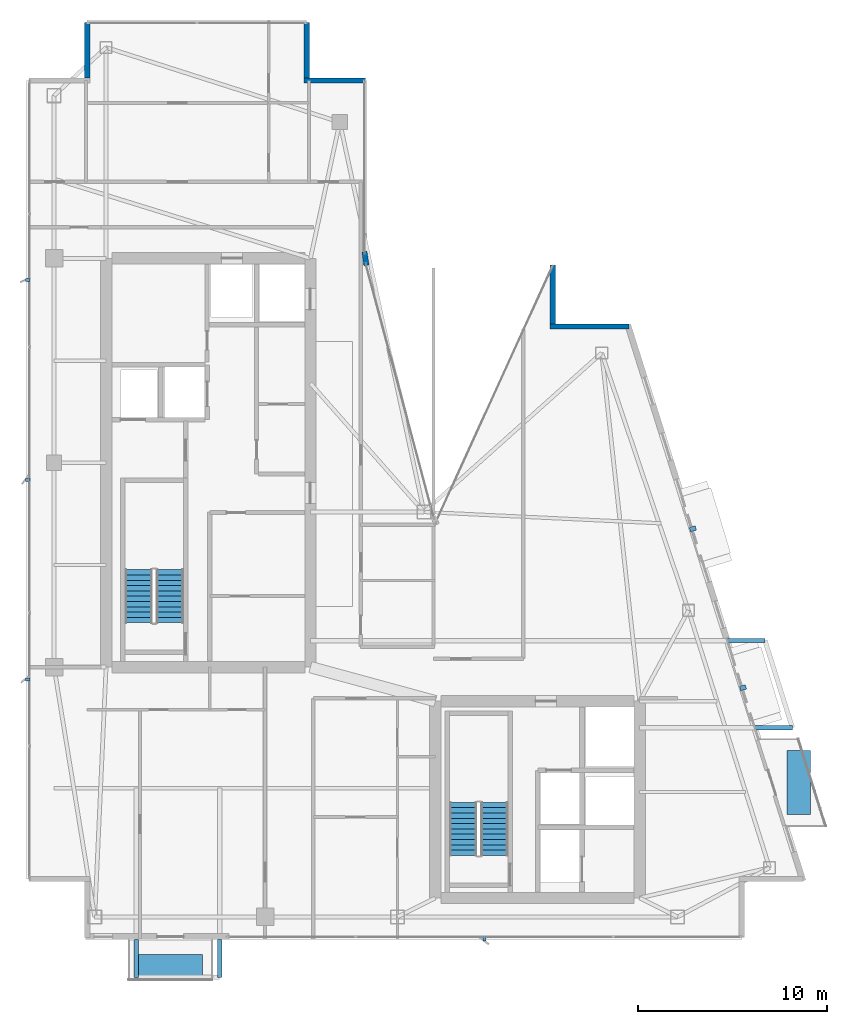
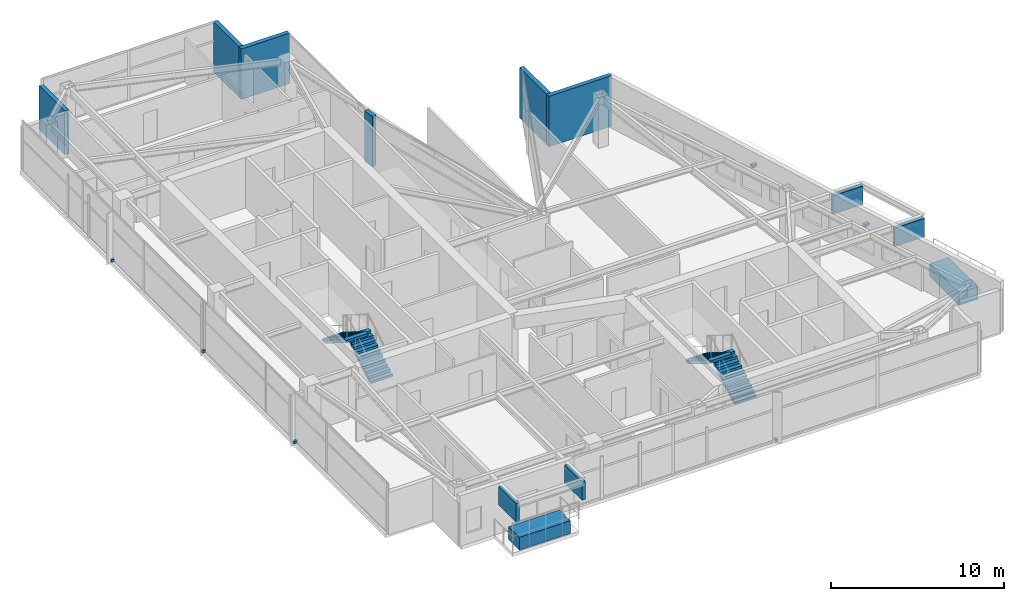
# One storey, part 25 of 27: 12 discrete accessories, 6 walls, 4 stair flights, 2 elements without a shape of their own.
"""IFC4 building model written with IfcOpenShell, lengths in metres."""

from ifc_helpers import new_model, si_unit, direction, frame, frame_2d, origin, origin_2d, place, context, subcontext, project, spatial, polyline, rectangle, outline, extrude, material, layer, layer_set, type_object, element, aggregate, save


model = new_model("IFC4")

# Units and contexts
model_context = context("Model", 3, precision=1e-05, world=origin(), true_north=direction((0.0, 1.0)))
body_context = subcontext(model_context, "Body", "Model", "MODEL_VIEW")
ifc_project = project(units=[si_unit("LENGTHUNIT", "METRE"), si_unit("AREAUNIT", "SQUARE_METRE"), si_unit("VOLUMEUNIT", "CUBIC_METRE"), si_unit("PLANEANGLEUNIT", "RADIAN"), si_unit("MASSUNIT", "GRAM", prefix="KILO")], contexts=[model_context])

# Site, building, storey
site_placement = place(None, origin())
site = spatial("IfcSite", under=ifc_project, at=site_placement, CompositionType="ELEMENT")
building_placement = place(site_placement, origin())
building = spatial("IfcBuilding", under=site, at=building_placement, Name="Calvorn Quay Hotel", CompositionType="ELEMENT")
storey_placement = place(building_placement, frame((0.0, 0.0, 291.10009765625)))
storey = spatial("IfcBuildingStorey", under=building, at=storey_placement, Name="L72", CompositionType="ELEMENT", Elevation=291.10009765625)

# Walls
ifc_material_1 = material(Name="Concrete C40", Category="concrete")
ifc_layer = layer(ifc_material_1, 0.320068359375)
ifc_layer_set = layer_set([ifc_layer], Name="WL-EXT-SPANDREL-320")
wall_type = type_object("IfcWallType", Name="WL-EXT-SPANDREL-320", PredefinedType="SOLIDWALL", material=ifc_layer_set)
wall_1_placement = place(storey_placement, frame((17.9619140625, 38.030029296875, 0.0), z_axis=(0.0, 0.0, 1.0), x_axis=(-0.15141125477, 0.988470855377, 0.0)))
element("IfcWall", 1, at=wall_1_placement, inside=storey, type_object=wall_type, Name="Inner Court Corner Pier L72-ICJ2", PredefinedType="SOLIDWALL", context=body_context, shape_type="SweptSolid", body=[
    extrude(rectangle(XDim=0.738525390625, YDim=0.280029296875, at=frame_2d((0.369140625, 0.0))), origin(), (0.0, 0.0, 1.0), 3.559814453125),
])
wall_2_placement = place(storey_placement, frame((31.840087890625, 34.800048828125, 0.0), z_axis=(0.0, 0.0, 1.0), x_axis=(-1.0, 0.0, 0.0)))
element("IfcWall", 2, at=wall_2_placement, inside=storey, type_object=wall_type, Name="Notched Corner Spandrel L72-NE1", PredefinedType="SOLIDWALL", context=body_context, shape_type="SweptSolid", body=[
    extrude(rectangle(XDim=4.18017578125, YDim=0.280029296875, at=frame_2d((2.090087890625, 0.0))), origin(), (0.0, 0.0, 1.0), 3.559814453125),
])
wall_3_placement = place(storey_placement, frame((27.800048828125, 34.93994140625, 0.0), z_axis=(0.0, 0.0, 1.0), x_axis=(0.0, 1.0, 0.0)))
element("IfcWall", 3, at=wall_3_placement, inside=storey, type_object=wall_type, Name="Notched Corner Spandrel L72-NE2", PredefinedType="SOLIDWALL", context=body_context, shape_type="SweptSolid", body=[
    extrude(rectangle(XDim=3.10009765625, YDim=0.280029296875, at=frame_2d((1.550048828125, 0.0))), origin(), (0.0, 0.0, 1.0), 3.559814453125),
])
wall_4_placement = place(storey_placement, frame((17.89990234375, 47.800048828125, 0.0), z_axis=(0.0, 0.0, 1.0), x_axis=(-1.0, 0.0, 0.0)))
element("IfcWall", 4, at=wall_4_placement, inside=storey, type_object=wall_type, Name="Notched Corner Spandrel L72-NWE1", PredefinedType="SOLIDWALL", context=body_context, shape_type="SweptSolid", body=[
    extrude(rectangle(XDim=3.239990234375, YDim=0.280029296875, at=frame_2d((1.6201171875, 0.0))), origin(), (0.0, 0.0, 1.0), 3.559814453125),
])
wall_5_placement = place(storey_placement, frame((14.800048828125, 47.93994140625, 0.0), z_axis=(0.0, 0.0, 1.0), x_axis=(0.0, 1.0, 0.0)))
element("IfcWall", 5, at=wall_5_placement, inside=storey, type_object=wall_type, Name="Notched Corner Spandrel L72-NWE2", PredefinedType="SOLIDWALL", context=body_context, shape_type="SweptSolid", body=[
    extrude(rectangle(XDim=2.93994140625, YDim=0.280029296875, at=frame_2d((1.469970703125, 0.0))), origin(), (0.0, 0.0, 1.0), 3.559814453125),
])
wall_6_placement = place(storey_placement, frame((3.199951171875, 50.8798828125, 0.0), z_axis=(0.0, 0.0, 1.0), x_axis=(0.0, -1.0, 0.0)))
element("IfcWall", 6, at=wall_6_placement, inside=storey, type_object=wall_type, Name="Notched Corner Spandrel L72-NW1", PredefinedType="SOLIDWALL", context=body_context, shape_type="SweptSolid", body=[
    extrude(rectangle(XDim=2.93994140625, YDim=0.280029296875, at=frame_2d((1.469970703125, 0.0))), origin(), (0.0, 0.0, 1.0), 3.08984375),
])

# Stair, stair flights
ifc_material_2 = material(Name="Concrete C40", Category="concrete")
stair_type = type_object("IfcStairType", Name="STR-CORE-DOGLEG", PredefinedType="HALF_TURN_STAIR", material=ifc_material_2)
stair_1_placement = place(storey_placement, origin())
stair_1 = element("IfcStair", 7, at=stair_1_placement, inside=storey, type_object=stair_type, Name="L72 ST-W", PredefinedType="HALF_TURN_STAIR")
ifc_material_3 = material(Name="Concrete C40", Category="concrete")
stair_flight_type = type_object("IfcStairFlightType", Name="FLT-CORE-1550", PredefinedType="STRAIGHT", material=ifc_material_3)
stair_flight_1_placement = place(storey_placement, frame((7.574951171875, 19.14990234375, 0.0), z_axis=(0.0, 0.0, 1.0), x_axis=(0.0, 1.0, 0.0)))
stair_flight_1 = element("IfcStairFlight", 8, at=stair_flight_1_placement, type_object=stair_flight_type, Name="ST-W flight 1", NumberOfRisers=11, NumberOfTreads=10, PredefinedType="STRAIGHT", RiserHeight=0.172727273, TreadLength=0.28, context=body_context, shape_type="SweptSolid", body=[
    extrude(outline(polyline([(0.0, 0.0), (0.0, 0.172607421875), (0.280029296875, 0.172607421875), (0.280029296875, 0.345458984375), (0.56005859375, 0.345458984375), (0.56005859375, 0.51806640625), (0.840087890625, 0.51806640625), (0.840087890625, 0.69091796875), (1.1201171875, 0.69091796875), (1.1201171875, 0.863525390625), (1.39990234375, 0.863525390625), (1.39990234375, 1.036376953125), (1.679931640625, 1.036376953125), (1.679931640625, 1.208984375), (1.9599609375, 1.208984375), (1.9599609375, 1.3818359375), (2.239990234375, 1.3818359375), (2.239990234375, 1.554443359375), (2.52001953125, 1.554443359375), (2.52001953125, 1.727294921875), (2.800048828125, 1.727294921875), (2.800048828125, 1.89990234375), (2.800048828125, 1.551025390625), (0.285400390625, 0.0), (0.0, 0.0)])), frame((0.0, 0.72509765625, 0.0), z_axis=(0.0, -1.0, 0.0), x_axis=(1.0, 0.0, 0.0)), (0.0, 0.0, 1.0), 1.449951171875),
])
stair_flight_2_placement = place(storey_placement, frame((5.925048828125, 21.949951171875, 1.89990234375), z_axis=(0.0, 0.0, 1.0), x_axis=(0.0, -1.0, 0.0)))
stair_flight_2 = element("IfcStairFlight", 9, at=stair_flight_2_placement, type_object=stair_flight_type, Name="ST-W flight 2", NumberOfRisers=11, NumberOfTreads=10, PredefinedType="STRAIGHT", RiserHeight=0.172727273, TreadLength=0.28, context=body_context, shape_type="SweptSolid", body=[
    extrude(outline(polyline([(0.0, 0.0), (0.0, 0.172607421875), (0.280029296875, 0.172607421875), (0.280029296875, 0.345458984375), (0.56005859375, 0.345458984375), (0.56005859375, 0.51806640625), (0.840087890625, 0.51806640625), (0.840087890625, 0.69091796875), (1.1201171875, 0.69091796875), (1.1201171875, 0.863525390625), (1.39990234375, 0.863525390625), (1.39990234375, 1.036376953125), (1.679931640625, 1.036376953125), (1.679931640625, 1.208984375), (1.9599609375, 1.208984375), (1.9599609375, 1.3818359375), (2.239990234375, 1.3818359375), (2.239990234375, 1.554443359375), (2.52001953125, 1.554443359375), (2.52001953125, 1.727294921875), (2.800048828125, 1.727294921875), (2.800048828125, 1.89990234375), (2.800048828125, 1.551025390625), (0.285400390625, 0.0), (0.0, 0.0)])), frame((0.0, 0.72509765625, 0.0), z_axis=(0.0, -1.0, 0.0), x_axis=(1.0, 0.0, 0.0)), (0.0, 0.0, 1.0), 1.449951171875),
])
aggregate(stair_1, [stair_flight_1, stair_flight_2])

stair_2_placement = place(storey_placement, origin())
stair_2 = element("IfcStair", 10, at=stair_2_placement, inside=storey, type_object=stair_type, Name="L72 ST-E", PredefinedType="HALF_TURN_STAIR")
stair_flight_3_placement = place(storey_placement, frame((24.72509765625, 6.85009765625, 0.0), z_axis=(0.0, 0.0, 1.0), x_axis=(0.0, 1.0, 0.0)))
stair_flight_3 = element("IfcStairFlight", 11, at=stair_flight_3_placement, type_object=stair_flight_type, Name="ST-E flight 1", NumberOfRisers=11, NumberOfTreads=10, PredefinedType="STRAIGHT", RiserHeight=0.172727273, TreadLength=0.28, context=body_context, shape_type="SweptSolid", body=[
    extrude(outline(polyline([(0.0, 0.0), (0.0, 0.172607421875), (0.280029296875, 0.172607421875), (0.280029296875, 0.345458984375), (0.56005859375, 0.345458984375), (0.56005859375, 0.51806640625), (0.840087890625, 0.51806640625), (0.840087890625, 0.69091796875), (1.1201171875, 0.69091796875), (1.1201171875, 0.863525390625), (1.39990234375, 0.863525390625), (1.39990234375, 1.036376953125), (1.679931640625, 1.036376953125), (1.679931640625, 1.208984375), (1.9599609375, 1.208984375), (1.9599609375, 1.3818359375), (2.239990234375, 1.3818359375), (2.239990234375, 1.554443359375), (2.52001953125, 1.554443359375), (2.52001953125, 1.727294921875), (2.800048828125, 1.727294921875), (2.800048828125, 1.89990234375), (2.800048828125, 1.551025390625), (0.285400390625, 0.0), (0.0, 0.0)])), frame((0.0, 0.72509765625, 0.0), z_axis=(0.0, -1.0, 0.0), x_axis=(1.0, 0.0, 0.0)), (0.0, 0.0, 1.0), 1.449951171875),
])
stair_flight_4_placement = place(storey_placement, frame((23.074951171875, 9.64990234375, 1.89990234375), z_axis=(0.0, 0.0, 1.0), x_axis=(0.0, -1.0, 0.0)))
stair_flight_4 = element("IfcStairFlight", 12, at=stair_flight_4_placement, type_object=stair_flight_type, Name="ST-E flight 2", NumberOfRisers=11, NumberOfTreads=10, PredefinedType="STRAIGHT", RiserHeight=0.172727273, TreadLength=0.28, context=body_context, shape_type="SweptSolid", body=[
    extrude(outline(polyline([(0.0, 0.0), (0.0, 0.172607421875), (0.280029296875, 0.172607421875), (0.280029296875, 0.345458984375), (0.56005859375, 0.345458984375), (0.56005859375, 0.51806640625), (0.840087890625, 0.51806640625), (0.840087890625, 0.69091796875), (1.1201171875, 0.69091796875), (1.1201171875, 0.863525390625), (1.39990234375, 0.863525390625), (1.39990234375, 1.036376953125), (1.679931640625, 1.036376953125), (1.679931640625, 1.208984375), (1.9599609375, 1.208984375), (1.9599609375, 1.3818359375), (2.239990234375, 1.3818359375), (2.239990234375, 1.554443359375), (2.52001953125, 1.554443359375), (2.52001953125, 1.727294921875), (2.800048828125, 1.727294921875), (2.800048828125, 1.89990234375), (2.800048828125, 1.551025390625), (0.285400390625, 0.0), (0.0, 0.0)])), frame((0.0, 0.72509765625, 0.0), z_axis=(0.0, -1.0, 0.0), x_axis=(1.0, 0.0, 0.0)), (0.0, 0.0, 1.0), 1.449951171875),
])
aggregate(stair_2, [stair_flight_3, stair_flight_4])

# Discrete accessories
ifc_material_4 = material(Name="Steel Q355B", Category="steel")
discrete_accessory_type_1 = type_object("IfcDiscreteAccessoryType", Name="ACC-BALC-STRUT", PredefinedType="BRACKET", material=ifc_material_4)
for number, where, z_axis, x_axis, name in (
    (13, (39.47412109375, 13.60009765625, 2.0146484375), (0.0, 0.0, 1.0), (1.0, 0.0, 0.0), "Exterior Balcony Steel Bracket L73-BALC-E-A"),
    (14, (38.02490234375, 18.199951171875, 2.0146484375), (0.0, 0.0, 1.0), (1.0, 0.0, 0.0), "Exterior Balcony Steel Bracket L73-BALC-E-B"),
):
    element("IfcDiscreteAccessory", number, at=place(storey_placement, frame(where, z_axis=z_axis, x_axis=x_axis)), inside=storey, type_object=discrete_accessory_type_1, Name=name, PredefinedType="BRACKET", context=body_context, shape_type="SweptSolid", body=[
        extrude(rectangle(XDim=1.989990234375, YDim=0.219970703125, at=origin_2d()), origin(), (0.0, 0.0, 1.0), 1.300048828125),
    ])
for number, where, z_axis, x_axis, name in (
    (15, (5.800048828125, 1.405029296875, 2.0146484375), (0.0, 0.0, 1.0), (1.0, 0.0, 0.0), "Exterior Balcony Steel Bracket L73-BALC-S-A"),
    (16, (10.199951171875, 1.405029296875, 2.0146484375), (0.0, 0.0, 1.0), (1.0, 0.0, 0.0), "Exterior Balcony Steel Bracket L73-BALC-S-B"),
):
    element("IfcDiscreteAccessory", number, at=place(storey_placement, frame(where, z_axis=z_axis, x_axis=x_axis)), inside=storey, type_object=discrete_accessory_type_1, Name=name, PredefinedType="BRACKET", context=body_context, shape_type="SweptSolid", body=[
        extrude(rectangle(XDim=0.219970703125, YDim=1.989990234375, at=origin_2d()), origin(), (0.0, 0.0, 1.0), 1.300048828125),
    ])
ifc_material_5 = material(Name="Steel Q355B", Category="steel")
discrete_accessory_type_2 = type_object("IfcDiscreteAccessoryType", Name="ACC-FIN-BRACKET", PredefinedType="BRACKET", material=ifc_material_5)
for number, where, z_axis, x_axis, name in (
    (17, (0.06005859375, 16.14990234375, 0.02978515625), (0.0, 0.0, 1.0), (1.0, 0.0, 0.0), "Fin Anchor Bracket L72-W01"),
    (18, (0.06005859375, 26.699951171875, 0.02978515625), (0.0, 0.0, 1.0), (1.0, 0.0, 0.0), "Fin Anchor Bracket L72-W02"),
    (19, (0.06005859375, 37.25, 0.02978515625), (0.0, 0.0, 1.0), (1.0, 0.0, 0.0), "Fin Anchor Bracket L72-W03"),
    (20, (24.199951171875, 2.4599609375, 0.02978515625), (0.0, 0.0, 1.0), (0.0, 1.0, 0.0), "Fin Anchor Bracket L72-S01"),
):
    element("IfcDiscreteAccessory", number, at=place(storey_placement, frame(where, z_axis=z_axis, x_axis=x_axis)), inside=storey, type_object=discrete_accessory_type_2, Name=name, PredefinedType="BRACKET", context=body_context, shape_type="SweptSolid", body=[
        extrude(rectangle(XDim=0.239990234375, YDim=0.159912109375, at=origin_2d()), origin(), (0.0, 0.0, 1.0), 0.179931640625),
    ])
for number, where, z_axis, x_axis, name in (
    (21, (37.85595703125, 15.7119140625, 2.3701171875), (0.0, 0.0, 1.0), (0.957319497532, 0.289031796944, 0.0), "Bay Hood Support Bracket L72-HOOD-2"),
    (22, (35.2099609375, 24.112060546875, 2.3701171875), (0.0, 0.0, 1.0), (0.957319497532, 0.289031796944, 0.0), "Bay Hood Support Bracket L72-HOOD-3"),
):
    element("IfcDiscreteAccessory", number, at=place(storey_placement, frame(where, z_axis=z_axis, x_axis=x_axis)), inside=storey, type_object=discrete_accessory_type_2, Name=name, PredefinedType="BRACKET", context=body_context, shape_type="SweptSolid", body=[
        extrude(rectangle(XDim=0.320068359375, YDim=0.239990234375, at=origin_2d()), origin(), (0.0, 0.0, 1.0), 0.199951171875),
    ])
ifc_material_6 = material(Name="Precast concrete C40", Category="concrete")
discrete_accessory_type_3 = type_object("IfcDiscreteAccessoryType", Name="ACC-TREE-PLANTER", PredefinedType="USERDEFINED", material=ifc_material_6)
discrete_accessory_1_placement = place(storey_placement, frame((40.802978515625, 10.699951171875, 0.0), z_axis=(0.0, 0.0, 1.0), x_axis=(1.0, 0.0, 0.0)))
element("IfcDiscreteAccessory", 23, at=discrete_accessory_1_placement, inside=storey, type_object=discrete_accessory_type_3, Name="Subtropical Tree Structural Planter L72-BALC-E", ObjectType="PLANTER", PredefinedType="USERDEFINED", context=body_context, shape_type="SweptSolid", body=[
    extrude(rectangle(XDim=1.25, YDim=3.39990234375, at=origin_2d()), origin(), (0.0, 0.0, 1.0), 0.89990234375),
])
discrete_accessory_2_placement = place(storey_placement, frame((7.60009765625, 0.989990234375, 0.0), z_axis=(0.0, 0.0, 1.0), x_axis=(1.0, 0.0, 0.0)))
element("IfcDiscreteAccessory", 24, at=discrete_accessory_2_placement, inside=storey, type_object=discrete_accessory_type_3, Name="Subtropical Tree Structural Planter L72-BALC-S", ObjectType="PLANTER", PredefinedType="USERDEFINED", context=body_context, shape_type="SweptSolid", body=[
    extrude(rectangle(XDim=3.39990234375, YDim=1.25, at=origin_2d()), origin(), (0.0, 0.0, 1.0), 0.89990234375),
])

save(model, "model.ifc")
